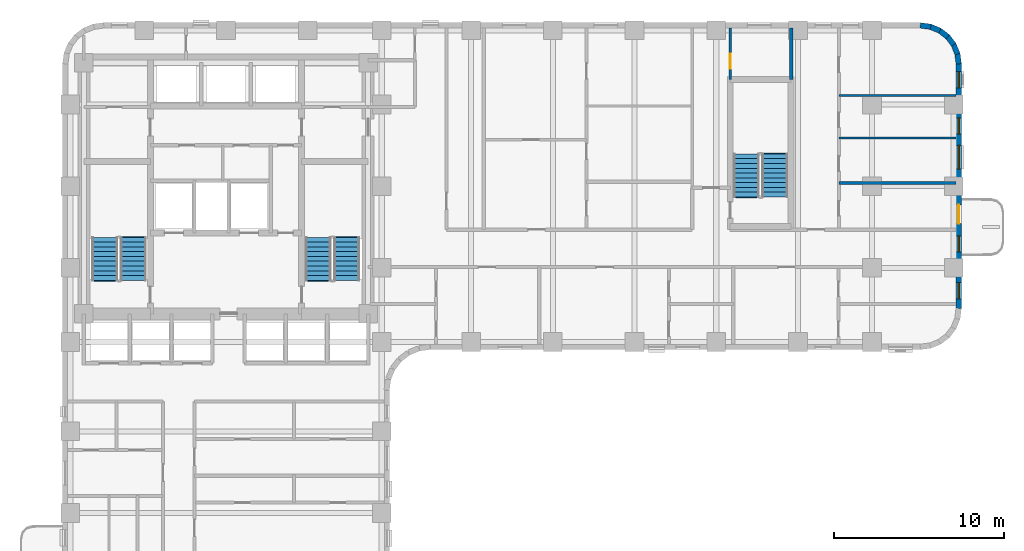
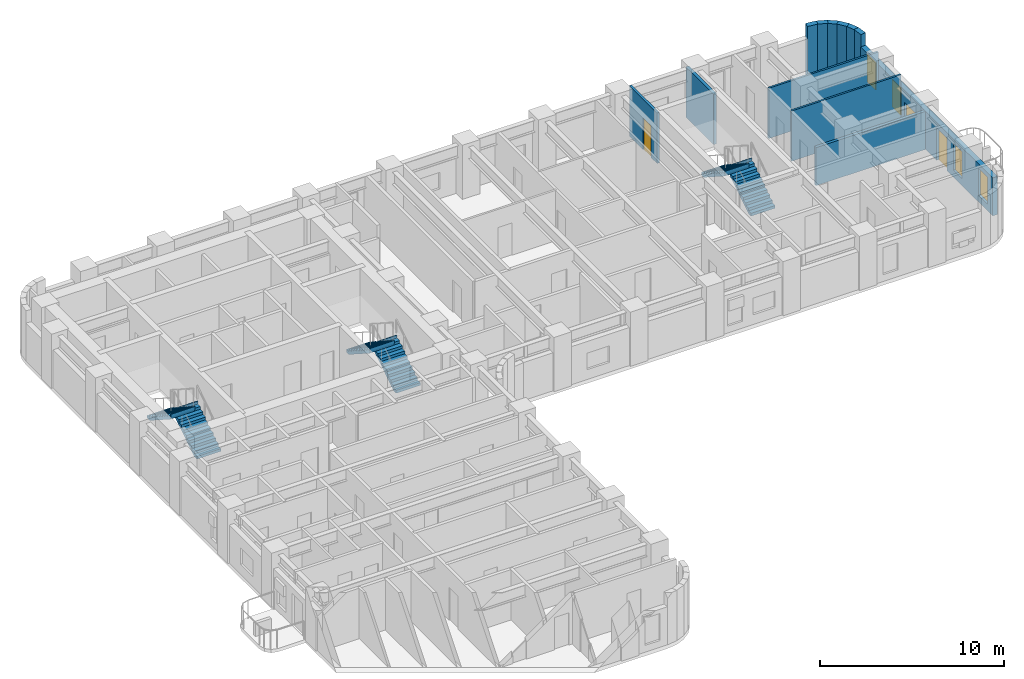
# One storey, part 8 of 12: 12 walls, 6 stair flights, 5 windows, 2 doors, 7 openings, 3 elements without a shape of their own.
"""IFC4 building model written with IfcOpenShell, lengths in metres."""

from ifc_helpers import new_model, si_unit, direction, frame, frame_2d, origin, place, context, subcontext, project, spatial, polyline, rectangle, outline, extrude, material, layer, layer_set, type_object, element, fill, aggregate, save


model = new_model("IFC4")

# Units and contexts
model_context = context("Model", 3, precision=1e-05, world=origin(), true_north=direction((0.0, 1.0)))
body_context = subcontext(model_context, "Body", "Model", "MODEL_VIEW")
ifc_project = project(units=[si_unit("LENGTHUNIT", "METRE"), si_unit("AREAUNIT", "SQUARE_METRE"), si_unit("VOLUMEUNIT", "CUBIC_METRE"), si_unit("PLANEANGLEUNIT", "RADIAN"), si_unit("MASSUNIT", "GRAM", prefix="KILO")], contexts=[model_context])

# Site, building, storey
site_placement = place(None, origin())
site = spatial("IfcSite", under=ifc_project, at=site_placement, CompositionType="ELEMENT")
building_placement = place(site_placement, origin())
building = spatial("IfcBuilding", under=site, at=building_placement, Name="Orvandelia Arch Residences", CompositionType="ELEMENT")
storey_placement = place(building_placement, frame((0.0, 0.0, 35.800048828125)))
storey = spatial("IfcBuildingStorey", under=building, at=storey_placement, Name="L08", CompositionType="ELEMENT", Elevation=35.800048828125)

# Walls
ifc_material_1 = material(Name="Concrete C40/50", Category="concrete")
ifc_layer_1 = layer(ifc_material_1, 0.199951171875, Name="Concrete C40/50", Category="concrete")
ifc_layer_set_1 = layer_set([ifc_layer_1], Name="Concrete C40/50")
wall_type_1 = type_object("IfcWallType", Name="WL-DEM-200", PredefinedType="SOLIDWALL", material=ifc_layer_set_1)
wall_1_placement = place(storey_placement, frame((47.60009765625, 44.659912109375, 0.0), z_axis=(0.0, 0.0, 1.0), x_axis=(0.0, 1.0, 0.0)))
element("IfcWall", 1, at=wall_1_placement, inside=storey, type_object=wall_type_1, Name="Interior Partition Wall WL-L08-ES-NST3E", PredefinedType="SOLIDWALL", context=body_context, shape_type="SweptSolid", body=[
    extrude(rectangle(XDim=3.02001953125, YDim=0.199951171875, at=frame_2d((1.510009765625, 0.0))), origin(), (0.0, 0.0, 1.0), 3.349853515625),
])
ifc_material_2 = material(Name="Precast concrete C40/50", Category="concrete")
ifc_layer_2 = layer(ifc_material_2, 0.320068359375, Name="Precast concrete C40/50", Category="concrete")
ifc_layer_set_2 = layer_set([ifc_layer_2], Name="Precast concrete C40/50")
wall_type_2 = type_object("IfcWallType", Name="WL-EXT-STONE-320", PredefinedType="STANDARD", material=ifc_layer_set_2)
for number, where, z_axis, x_axis, name in (
    (2, (55.17919921875, 47.84130859375, 0.0), (0.0, 0.0, 1.0), (0.9914410257, -0.130555323746, 0.0), "Coral-Limestone Precast Facade Wall L08-008"),
    (3, (55.760009765625, 47.7705078125, 0.0), (0.0, 0.0, 1.0), (0.92389335771, -0.382650053678, 0.0), "Coral-Limestone Precast Facade Wall L08-009"),
):
    element("IfcWall", number, at=place(storey_placement, frame(where, z_axis=z_axis, x_axis=x_axis)), inside=storey, type_object=wall_type_2, Name=name, PredefinedType="STANDARD", context=body_context, shape_type="SweptSolid", body=[
        extrude(rectangle(XDim=0.62646484375, YDim=0.320068359375, at=frame_2d((0.313232421875, 0.0))), origin(), (0.0, 0.0, 1.0), 3.349853515625),
    ])
wall_2_placement = place(storey_placement, frame((56.302490234375, 47.551513671875, 0.0), z_axis=(0.0, 0.0, 1.0), x_axis=(0.793549926411, -0.608505147302, 0.0)))
element("IfcWall", 4, at=wall_2_placement, inside=storey, type_object=wall_type_2, Name="Coral-Limestone Precast Facade Wall L08-010", PredefinedType="STANDARD", context=body_context, shape_type="SweptSolid", body=[
    extrude(rectangle(XDim=0.626708984375, YDim=0.320068359375, at=frame_2d((0.3134765625, 0.0))), origin(), (0.0, 0.0, 1.0), 3.349853515625),
])
for number, where, z_axis, x_axis, name in (
    (5, (56.770263671875, 47.19970703125, 0.0), (0.0, 0.0, 1.0), (0.608693302629, -0.793405610854, 0.0), "Coral-Limestone Precast Facade Wall L08-011"),
    (6, (57.130615234375, 46.73876953125, 0.0), (0.0, 0.0, 1.0), (0.382650053678, -0.92389335771, 0.0), "Coral-Limestone Precast Facade Wall L08-012"),
    (7, (57.359619140625, 46.2001953125, 0.0), (0.0, 0.0, 1.0), (0.130555323746, -0.9914410257, 0.0), "Coral-Limestone Precast Facade Wall L08-013"),
):
    element("IfcWall", number, at=place(storey_placement, frame(where, z_axis=z_axis, x_axis=x_axis)), inside=storey, type_object=wall_type_2, Name=name, PredefinedType="STANDARD", context=body_context, shape_type="SweptSolid", body=[
        extrude(rectangle(XDim=0.62646484375, YDim=0.320068359375, at=frame_2d((0.313232421875, 0.0))), origin(), (0.0, 0.0, 1.0), 3.349853515625),
    ])

# Wall, openings, door, windows
wall_3_placement = place(storey_placement, frame((57.43994140625, 45.60009765625, 0.0), z_axis=(0.0, 0.0, 1.0), x_axis=(0.0, -1.0, 0.0)))
wall_3 = element("IfcWall", 8, at=wall_3_placement, inside=storey, type_object=wall_type_2, Name="Coral-Limestone Precast Facade Wall L08-014", PredefinedType="STANDARD", context=body_context, shape_type="SweptSolid", body=[
    extrude(rectangle(XDim=14.400146484375, YDim=0.320068359375, at=frame_2d((7.2001953125, 0.0))), origin(), (0.0, 0.0, 1.0), 2.530029296875),
])
opening_1_placement = place(wall_3_placement, frame((8.300048828125, 0.0, 0.0)))
opening_1 = element("IfcOpeningElement", 9, at=opening_1_placement, cuts=wall_3, Name="Opening BD1", PredefinedType="OPENING", context=body_context, shape_type="SweptSolid", body=[
    extrude(rectangle(XDim=1.10009765625, YDim=2.14990234375, at=frame_2d((0.550048828125, 1.074951171875))), frame((0.0, 0.169921875, 0.0), z_axis=(0.0, -1.0, 0.0), x_axis=(1.0, 0.0, 0.0)), (0.0, 0.0, 1.0), 0.340087890625),
])
opening_2_placement = place(wall_3_placement, frame((0.469970703125, 0.0, 0.449951171875)))
opening_2 = element("IfcOpeningElement", 10, at=opening_2_placement, cuts=wall_3, Name="Opening W4", PredefinedType="OPENING", context=body_context, shape_type="SweptSolid", body=[
    extrude(rectangle(XDim=0.949951171875, YDim=1.800048828125, at=frame_2d((0.47509765625, 0.89990234375))), frame((0.0, 0.169921875, 0.0), z_axis=(0.0, -1.0, 0.0), x_axis=(1.0, 0.0, 0.0)), (0.0, 0.0, 1.0), 0.340087890625),
])
opening_3_placement = place(wall_3_placement, frame((10.114990234375, 0.0, 0.449951171875)))
opening_3 = element("IfcOpeningElement", 11, at=opening_3_placement, cuts=wall_3, Name="Opening W4", PredefinedType="OPENING", context=body_context, shape_type="SweptSolid", body=[
    extrude(rectangle(XDim=0.949951171875, YDim=1.800048828125, at=frame_2d((0.47509765625, 0.89990234375))), frame((0.0, 0.169921875, 0.0), z_axis=(0.0, -1.0, 0.0), x_axis=(1.0, 0.0, 0.0)), (0.0, 0.0, 1.0), 0.340087890625),
])
opening_4_placement = place(wall_3_placement, frame((12.867431640625, 0.0, 0.449951171875)))
opening_4 = element("IfcOpeningElement", 12, at=opening_4_placement, cuts=wall_3, Name="Opening W4", PredefinedType="OPENING", context=body_context, shape_type="SweptSolid", body=[
    extrude(rectangle(XDim=0.949951171875, YDim=1.800048828125, at=frame_2d((0.47509765625, 0.89990234375))), frame((0.0, 0.169921875, 0.0), z_axis=(0.0, -1.0, 0.0), x_axis=(1.0, 0.0, 0.0)), (0.0, 0.0, 1.0), 0.340087890625),
])
opening_5_placement = place(wall_3_placement, frame((4.798583984375, 0.0, 0.64990234375)))
opening_5 = element("IfcOpeningElement", 13, at=opening_5_placement, cuts=wall_3, Name="Opening W10", PredefinedType="OPENING", context=body_context, shape_type="SweptSolid", body=[
    extrude(rectangle(XDim=1.39990234375, YDim=1.10009765625, at=frame_2d((0.699951171875, 0.550048828125))), frame((0.0, 0.169921875, 0.0), z_axis=(0.0, -1.0, 0.0), x_axis=(1.0, 0.0, 0.0)), (0.0, 0.0, 1.0), 0.340087890625),
])
opening_6_placement = place(wall_3_placement, frame((3.193603515625, 0.0, 0.449951171875)))
opening_6 = element("IfcOpeningElement", 14, at=opening_6_placement, cuts=wall_3, Name="Opening W4", PredefinedType="OPENING", context=body_context, shape_type="SweptSolid", body=[
    extrude(rectangle(XDim=0.949951171875, YDim=1.800048828125, at=frame_2d((0.47509765625, 0.89990234375))), frame((0.0, 0.169921875, 0.0), z_axis=(0.0, -1.0, 0.0), x_axis=(1.0, 0.0, 0.0)), (0.0, 0.0, 1.0), 0.340087890625),
])
ifc_material_3 = material(Name="Thermally Broken Aluminium Glazed Door", Category="aluminium")
door_type_1 = type_object("IfcDoorType", Name="DR-BAL-GLAZ-1100", OperationType="NOTDEFINED", PredefinedType="DOOR", material=ifc_material_3)
door_1_placement = place(opening_1_placement, origin())
door_1 = element("IfcDoor", 15, at=door_1_placement, inside=storey, type_object=door_type_1, Name="Tree Balcony Glazed Door BAL-L08-E1", OperationType="SINGLE_SWING_LEFT", OverallHeight=2.14990234375, OverallWidth=1.10009765625, PredefinedType="DOOR", context=body_context, shape_type="SweptSolid", body=[
    extrude(rectangle(XDim=1.10009765625, YDim=2.14990234375, at=frame_2d((0.550048828125, 1.074951171875))), frame((0.0, 0.02490234375, 0.0), z_axis=(0.0, -1.0, 0.0), x_axis=(1.0, 0.0, 0.0)), (0.0, 0.0, 1.0), 0.050048828125),
])
fill(opening_1, door_1)
ifc_material_4 = material(Name="Tempered Low-E Insulated Glazing", Category="glass")
window_type_1 = type_object("IfcWindowType", Name="WIN-CLR-1400x1100", PartitioningType="SINGLE_PANEL", PredefinedType="WINDOW", material=ifc_material_4)
window_1_placement = place(opening_5_placement, origin())
window_1 = element("IfcWindow", 16, at=window_1_placement, inside=storey, type_object=window_type_1, Name="Recessed Punched Window L08-012", OverallHeight=1.10009765625, OverallWidth=1.39990234375, PartitioningType="SINGLE_PANEL", PredefinedType="WINDOW", context=body_context, shape_type="SweptSolid", body=[
    extrude(rectangle(XDim=1.39990234375, YDim=1.10009765625, at=frame_2d((0.699951171875, 0.550048828125))), frame((0.0, 0.030029296875, 0.0), z_axis=(0.0, -1.0, 0.0), x_axis=(1.0, 0.0, 0.0)), (0.0, 0.0, 1.0), 0.06005859375),
])
fill(opening_5, window_1)
window_type_2 = type_object("IfcWindowType", Name="WIN-RES-0950x1800", PartitioningType="SINGLE_PANEL", PredefinedType="WINDOW", material=ifc_material_4)
window_2_placement = place(opening_2_placement, origin())
window_2 = element("IfcWindow", 17, at=window_2_placement, inside=storey, type_object=window_type_2, Name="Recessed Punched Window L08-009", OverallHeight=1.800048828125, OverallWidth=0.949951171875, PartitioningType="SINGLE_PANEL", PredefinedType="WINDOW", context=body_context, shape_type="SweptSolid", body=[
    extrude(rectangle(XDim=0.949951171875, YDim=1.800048828125, at=frame_2d((0.47509765625, 0.89990234375))), frame((0.0, 0.030029296875, 0.0), z_axis=(0.0, -1.0, 0.0), x_axis=(1.0, 0.0, 0.0)), (0.0, 0.0, 1.0), 0.06005859375),
])
fill(opening_2, window_2)
window_3_placement = place(opening_3_placement, origin())
window_3 = element("IfcWindow", 18, at=window_3_placement, inside=storey, type_object=window_type_2, Name="Recessed Punched Window L08-010", OverallHeight=1.800048828125, OverallWidth=0.949951171875, PartitioningType="SINGLE_PANEL", PredefinedType="WINDOW", context=body_context, shape_type="SweptSolid", body=[
    extrude(rectangle(XDim=0.949951171875, YDim=1.800048828125, at=frame_2d((0.47509765625, 0.89990234375))), frame((0.0, 0.030029296875, 0.0), z_axis=(0.0, -1.0, 0.0), x_axis=(1.0, 0.0, 0.0)), (0.0, 0.0, 1.0), 0.06005859375),
])
fill(opening_3, window_3)
window_4_placement = place(opening_4_placement, origin())
window_4 = element("IfcWindow", 19, at=window_4_placement, inside=storey, type_object=window_type_2, Name="Recessed Punched Window L08-011", OverallHeight=1.800048828125, OverallWidth=0.949951171875, PartitioningType="SINGLE_PANEL", PredefinedType="WINDOW", context=body_context, shape_type="SweptSolid", body=[
    extrude(rectangle(XDim=0.949951171875, YDim=1.800048828125, at=frame_2d((0.47509765625, 0.89990234375))), frame((0.0, 0.030029296875, 0.0), z_axis=(0.0, -1.0, 0.0), x_axis=(1.0, 0.0, 0.0)), (0.0, 0.0, 1.0), 0.06005859375),
])
fill(opening_4, window_4)
window_5_placement = place(opening_6_placement, origin())
window_5 = element("IfcWindow", 20, at=window_5_placement, inside=storey, type_object=window_type_2, Name="Recessed Punched Window L08-013", OverallHeight=1.800048828125, OverallWidth=0.949951171875, PartitioningType="SINGLE_PANEL", PredefinedType="WINDOW", context=body_context, shape_type="SweptSolid", body=[
    extrude(rectangle(XDim=0.949951171875, YDim=1.800048828125, at=frame_2d((0.47509765625, 0.89990234375))), frame((0.0, 0.030029296875, 0.0), z_axis=(0.0, -1.0, 0.0), x_axis=(1.0, 0.0, 0.0)), (0.0, 0.0, 1.0), 0.06005859375),
])
fill(opening_6, window_5)

# Walls
ifc_material_5 = material(Name="Lightweight Gypsum Stud Partition")
ifc_layer_3 = layer(ifc_material_5, 0.1201171875, Name="Lightweight Gypsum Stud Partition")
ifc_layer_set_3 = layer_set([ifc_layer_3], Name="Lightweight Gypsum Stud Partition")
wall_type_3 = type_object("IfcWallType", Name="WL-PART-120", PredefinedType="PARTITIONING", material=ifc_layer_set_3)
for number, where, z_axis, x_axis, name in (
    (21, (50.39697265625, 41.23291015625, 0.0), (0.0, 0.0, 1.0), (1.0, 0.0, 0.0), "Interior Partition Wall WL-L08-U12-H1B"),
    (22, (50.39697265625, 43.718994140625, 0.0), (0.0, 0.0, 1.0), (1.0, 0.0, 0.0), "Interior Partition Wall WL-L08-U12-H2"),
):
    element("IfcWall", number, at=place(storey_placement, frame(where, z_axis=z_axis, x_axis=x_axis)), inside=storey, type_object=wall_type_3, Name=name, PredefinedType="PARTITIONING", context=body_context, shape_type="SweptSolid", body=[
        extrude(rectangle(XDim=6.883056640625, YDim=0.1201171875, at=frame_2d((3.44140625, 0.0))), origin(), (0.0, 0.0, 1.0), 3.349853515625),
    ])

# Wall, opening, door
ifc_material_6 = material(Name="Acoustic Gypsum Stud Partition")
ifc_layer_4 = layer(ifc_material_6, 0.14990234375, Name="Acoustic Gypsum Stud Partition")
ifc_layer_set_4 = layer_set([ifc_layer_4], Name="Acoustic Gypsum Stud Partition")
wall_type_4 = type_object("IfcWallType", Name="WL-PART-150", PredefinedType="PARTITIONING", material=ifc_layer_set_4)
wall_4_placement = place(storey_placement, frame((44.02001953125, 44.659912109375, 0.0), z_axis=(0.0, 0.0, 1.0), x_axis=(0.0, 1.0, 0.0)))
wall_4 = element("IfcWall", 23, at=wall_4_placement, inside=storey, type_object=wall_type_4, Name="Interior Partition Wall WL-L08-ES-NST3W", PredefinedType="PARTITIONING", context=body_context, shape_type="SweptSolid", body=[
    extrude(rectangle(XDim=3.02001953125, YDim=0.14990234375, at=frame_2d((1.510009765625, 0.0))), origin(), (0.0, 0.0, 1.0), 3.349853515625),
])
opening_7_placement = place(wall_4_placement, frame((0.64990234375, 0.0, 0.0)))
opening_7 = element("IfcOpeningElement", 24, at=opening_7_placement, cuts=wall_4, Name="Opening D5", PredefinedType="OPENING", context=body_context, shape_type="SweptSolid", body=[
    extrude(rectangle(XDim=0.8798828125, YDim=2.10009765625, at=frame_2d((0.43994140625, 1.050048828125))), frame((0.0, 0.0849609375, 0.0), z_axis=(0.0, -1.0, 0.0), x_axis=(1.0, 0.0, 0.0)), (0.0, 0.0, 1.0), 0.169921875),
])
ifc_material_7 = material(Name="Painted Galvanised Steel Service Door", Category="steel")
door_type_2 = type_object("IfcDoorType", Name="DR-SRV-880", OperationType="NOTDEFINED", PredefinedType="DOOR", material=ifc_material_7)
door_2_placement = place(opening_7_placement, origin())
door_2 = element("IfcDoor", 25, at=door_2_placement, inside=storey, type_object=door_type_2, Name="DR-L08-ESNST3", OperationType="SINGLE_SWING_RIGHT", OverallHeight=2.10009765625, OverallWidth=0.8798828125, PredefinedType="DOOR", context=body_context, shape_type="SweptSolid", body=[
    extrude(rectangle(XDim=0.8798828125, YDim=2.10009765625, at=frame_2d((0.43994140625, 1.050048828125))), frame((0.0, 0.02490234375, 0.0), z_axis=(0.0, -1.0, 0.0), x_axis=(1.0, 0.0, 0.0)), (0.0, 0.0, 1.0), 0.050048828125),
])
fill(opening_7, door_2)

# Wall
ifc_material_8 = material(Name="Moisture-Resistant Plumbing Wall")
ifc_layer_5 = layer(ifc_material_8, 0.179931640625, Name="Moisture-Resistant Plumbing Wall")
ifc_layer_set_5 = layer_set([ifc_layer_5], Name="Moisture-Resistant Plumbing Wall")
wall_type_5 = type_object("IfcWallType", Name="WL-WET-180", PredefinedType="PLUMBINGWALL", material=ifc_layer_set_5)
wall_5_placement = place(storey_placement, frame((50.39697265625, 38.591064453125, 0.0), z_axis=(0.0, 0.0, 1.0), x_axis=(1.0, 0.0, 0.0)))
element("IfcWall", 26, at=wall_5_placement, inside=storey, type_object=wall_type_5, Name="Interior Partition Wall WL-L08-U12-H1", PredefinedType="PLUMBINGWALL", context=body_context, shape_type="SweptSolid", body=[
    extrude(rectangle(XDim=6.883056640625, YDim=0.179931640625, at=frame_2d((3.44140625, 0.0))), origin(), (0.0, 0.0, 1.0), 2.530029296875),
])

# Stair, stair flights
stair_type = type_object("IfcStairType", Name="STAIR-RC-DOGLEG", PredefinedType="HALF_TURN_STAIR", material=ifc_material_1)
stair_1_placement = place(storey_placement, origin())
stair_1 = element("IfcStair", 27, at=stair_1_placement, inside=storey, type_object=stair_type, Name="L08 Protected Exit Stair ST-1", PredefinedType="HALF_TURN_STAIR")
stair_flight_type = type_object("IfcStairFlightType", Name="STFLT-RC-1520", PredefinedType="STRAIGHT", material=ifc_material_1)
stair_flight_1_placement = place(storey_placement, frame((8.9599609375, 32.8701171875, 0.0), z_axis=(0.0, 0.0, 1.0), x_axis=(0.0, 1.0, 0.0)))
stair_flight_1 = element("IfcStairFlight", 28, at=stair_flight_1_placement, type_object=stair_flight_type, Name="ST-1 flight 1", NumberOfRisers=10, NumberOfTreads=9, PredefinedType="STRAIGHT", RiserHeight=0.18, TreadLength=0.28, context=body_context, shape_type="SweptSolid", body=[
    extrude(outline(polyline([(0.0, 0.0), (0.0, 0.179931640625), (0.280029296875, 0.179931640625), (0.280029296875, 0.360107421875), (0.56005859375, 0.360107421875), (0.56005859375, 0.5400390625), (0.840087890625, 0.5400390625), (0.840087890625, 0.719970703125), (1.1201171875, 0.719970703125), (1.1201171875, 0.89990234375), (1.39990234375, 0.89990234375), (1.39990234375, 1.080078125), (1.679931640625, 1.080078125), (1.679931640625, 1.260009765625), (1.9599609375, 1.260009765625), (1.9599609375, 1.43994140625), (2.239990234375, 1.43994140625), (2.239990234375, 1.6201171875), (2.52001953125, 1.6201171875), (2.52001953125, 1.800048828125), (2.580078125, 1.800048828125), (2.580078125, 1.6201171875), (2.52001953125, 1.44189453125), (0.277099609375, 0.0), (0.0, 0.0)])), frame((0.0, 0.760009765625, 0.0), z_axis=(0.0, -1.0, 0.0), x_axis=(1.0, 0.0, 0.0)), (0.0, 0.0, 1.0), 1.52001953125),
])
stair_flight_2_placement = place(storey_placement, frame((7.2900390625, 35.389892578125, 1.800048828125), z_axis=(0.0, 0.0, 1.0), x_axis=(0.0, -1.0, 0.0)))
stair_flight_2 = element("IfcStairFlight", 29, at=stair_flight_2_placement, type_object=stair_flight_type, Name="ST-1 flight 2", NumberOfRisers=10, NumberOfTreads=9, PredefinedType="STRAIGHT", RiserHeight=0.18, TreadLength=0.28, context=body_context, shape_type="SweptSolid", body=[
    extrude(outline(polyline([(0.0, 0.0), (0.0, 0.179931640625), (0.280029296875, 0.179931640625), (0.280029296875, 0.360107421875), (0.56005859375, 0.360107421875), (0.56005859375, 0.5400390625), (0.840087890625, 0.5400390625), (0.840087890625, 0.719970703125), (1.1201171875, 0.719970703125), (1.1201171875, 0.89990234375), (1.39990234375, 0.89990234375), (1.39990234375, 1.080078125), (1.679931640625, 1.080078125), (1.679931640625, 1.260009765625), (1.9599609375, 1.260009765625), (1.9599609375, 1.43994140625), (2.239990234375, 1.43994140625), (2.239990234375, 1.6201171875), (2.52001953125, 1.6201171875), (2.52001953125, 1.800048828125), (2.580078125, 1.800048828125), (2.580078125, 1.6201171875), (2.52001953125, 1.44189453125), (0.277099609375, 0.0), (0.0, 0.0)])), frame((0.0, 0.760009765625, 0.0), z_axis=(0.0, -1.0, 0.0), x_axis=(1.0, 0.0, 0.0)), (0.0, 0.0, 1.0), 1.52001953125),
])
aggregate(stair_1, [stair_flight_1, stair_flight_2])

stair_2_placement = place(storey_placement, origin())
stair_2 = element("IfcStair", 30, at=stair_2_placement, inside=storey, type_object=stair_type, Name="L08 Protected Exit Stair ST-2", PredefinedType="HALF_TURN_STAIR")
stair_flight_3_placement = place(storey_placement, frame((21.489990234375, 32.8701171875, 0.0), z_axis=(0.0, 0.0, 1.0), x_axis=(0.0, 1.0, 0.0)))
stair_flight_3 = element("IfcStairFlight", 31, at=stair_flight_3_placement, type_object=stair_flight_type, Name="ST-2 flight 1", NumberOfRisers=10, NumberOfTreads=9, PredefinedType="STRAIGHT", RiserHeight=0.18, TreadLength=0.28, context=body_context, shape_type="SweptSolid", body=[
    extrude(outline(polyline([(0.0, 0.0), (0.0, 0.179931640625), (0.280029296875, 0.179931640625), (0.280029296875, 0.360107421875), (0.56005859375, 0.360107421875), (0.56005859375, 0.5400390625), (0.840087890625, 0.5400390625), (0.840087890625, 0.719970703125), (1.1201171875, 0.719970703125), (1.1201171875, 0.89990234375), (1.39990234375, 0.89990234375), (1.39990234375, 1.080078125), (1.679931640625, 1.080078125), (1.679931640625, 1.260009765625), (1.9599609375, 1.260009765625), (1.9599609375, 1.43994140625), (2.239990234375, 1.43994140625), (2.239990234375, 1.6201171875), (2.52001953125, 1.6201171875), (2.52001953125, 1.800048828125), (2.580078125, 1.800048828125), (2.580078125, 1.6201171875), (2.52001953125, 1.44189453125), (0.277099609375, 0.0), (0.0, 0.0)])), frame((0.0, 0.760009765625, 0.0), z_axis=(0.0, -1.0, 0.0), x_axis=(1.0, 0.0, 0.0)), (0.0, 0.0, 1.0), 1.52001953125),
])
stair_flight_4_placement = place(storey_placement, frame((19.820068359375, 35.389892578125, 1.800048828125), z_axis=(0.0, 0.0, 1.0), x_axis=(0.0, -1.0, 0.0)))
stair_flight_4 = element("IfcStairFlight", 32, at=stair_flight_4_placement, type_object=stair_flight_type, Name="ST-2 flight 2", NumberOfRisers=10, NumberOfTreads=9, PredefinedType="STRAIGHT", RiserHeight=0.18, TreadLength=0.28, context=body_context, shape_type="SweptSolid", body=[
    extrude(outline(polyline([(0.0, 0.0), (0.0, 0.179931640625), (0.280029296875, 0.179931640625), (0.280029296875, 0.360107421875), (0.56005859375, 0.360107421875), (0.56005859375, 0.5400390625), (0.840087890625, 0.5400390625), (0.840087890625, 0.719970703125), (1.1201171875, 0.719970703125), (1.1201171875, 0.89990234375), (1.39990234375, 0.89990234375), (1.39990234375, 1.080078125), (1.679931640625, 1.080078125), (1.679931640625, 1.260009765625), (1.9599609375, 1.260009765625), (1.9599609375, 1.43994140625), (2.239990234375, 1.43994140625), (2.239990234375, 1.6201171875), (2.52001953125, 1.6201171875), (2.52001953125, 1.800048828125), (2.580078125, 1.800048828125), (2.580078125, 1.6201171875), (2.52001953125, 1.44189453125), (0.277099609375, 0.0), (0.0, 0.0)])), frame((0.0, 0.760009765625, 0.0), z_axis=(0.0, -1.0, 0.0), x_axis=(1.0, 0.0, 0.0)), (0.0, 0.0, 1.0), 1.52001953125),
])
aggregate(stair_2, [stair_flight_3, stair_flight_4])

stair_3_placement = place(storey_placement, origin())
stair_3 = element("IfcStair", 33, at=stair_3_placement, inside=storey, type_object=stair_type, Name="L08 East Wing Exit Stair ST-3", PredefinedType="HALF_TURN_STAIR")
stair_flight_5_placement = place(storey_placement, frame((46.639892578125, 37.77001953125, 0.0), z_axis=(0.0, 0.0, 1.0), x_axis=(0.0, 1.0, 0.0)))
stair_flight_5 = element("IfcStairFlight", 34, at=stair_flight_5_placement, type_object=stair_flight_type, Name="ST-3 flight 1", NumberOfRisers=10, NumberOfTreads=9, PredefinedType="STRAIGHT", RiserHeight=0.18, TreadLength=0.28, context=body_context, shape_type="SweptSolid", body=[
    extrude(outline(polyline([(0.0, 0.0), (0.0, 0.179931640625), (0.280029296875, 0.179931640625), (0.280029296875, 0.360107421875), (0.56005859375, 0.360107421875), (0.56005859375, 0.5400390625), (0.840087890625, 0.5400390625), (0.840087890625, 0.719970703125), (1.1201171875, 0.719970703125), (1.1201171875, 0.89990234375), (1.39990234375, 0.89990234375), (1.39990234375, 1.080078125), (1.679931640625, 1.080078125), (1.679931640625, 1.260009765625), (1.9599609375, 1.260009765625), (1.9599609375, 1.43994140625), (2.239990234375, 1.43994140625), (2.239990234375, 1.6201171875), (2.52001953125, 1.6201171875), (2.52001953125, 1.800048828125), (2.580078125, 1.800048828125), (2.580078125, 1.6201171875), (2.52001953125, 1.44189453125), (0.277099609375, 0.0), (0.0, 0.0)])), frame((0.0, 0.760009765625, 0.0), z_axis=(0.0, -1.0, 0.0), x_axis=(1.0, 0.0, 0.0)), (0.0, 0.0, 1.0), 1.52001953125),
])
stair_flight_6_placement = place(storey_placement, frame((44.969970703125, 40.2900390625, 1.800048828125), z_axis=(0.0, 0.0, 1.0), x_axis=(0.0, -1.0, 0.0)))
stair_flight_6 = element("IfcStairFlight", 35, at=stair_flight_6_placement, type_object=stair_flight_type, Name="ST-3 flight 2", NumberOfRisers=10, NumberOfTreads=9, PredefinedType="STRAIGHT", RiserHeight=0.18, TreadLength=0.28, context=body_context, shape_type="SweptSolid", body=[
    extrude(outline(polyline([(0.0, 0.0), (0.0, 0.179931640625), (0.280029296875, 0.179931640625), (0.280029296875, 0.360107421875), (0.56005859375, 0.360107421875), (0.56005859375, 0.5400390625), (0.840087890625, 0.5400390625), (0.840087890625, 0.719970703125), (1.1201171875, 0.719970703125), (1.1201171875, 0.89990234375), (1.39990234375, 0.89990234375), (1.39990234375, 1.080078125), (1.679931640625, 1.080078125), (1.679931640625, 1.260009765625), (1.9599609375, 1.260009765625), (1.9599609375, 1.43994140625), (2.239990234375, 1.43994140625), (2.239990234375, 1.6201171875), (2.52001953125, 1.6201171875), (2.52001953125, 1.800048828125), (2.580078125, 1.800048828125), (2.580078125, 1.6201171875), (2.52001953125, 1.44189453125), (0.277099609375, 0.0), (0.0, 0.0)])), frame((0.0, 0.760009765625, 0.0), z_axis=(0.0, -1.0, 0.0), x_axis=(1.0, 0.0, 0.0)), (0.0, 0.0, 1.0), 1.52001953125),
])
aggregate(stair_3, [stair_flight_5, stair_flight_6])

save(model, "model.ifc")
